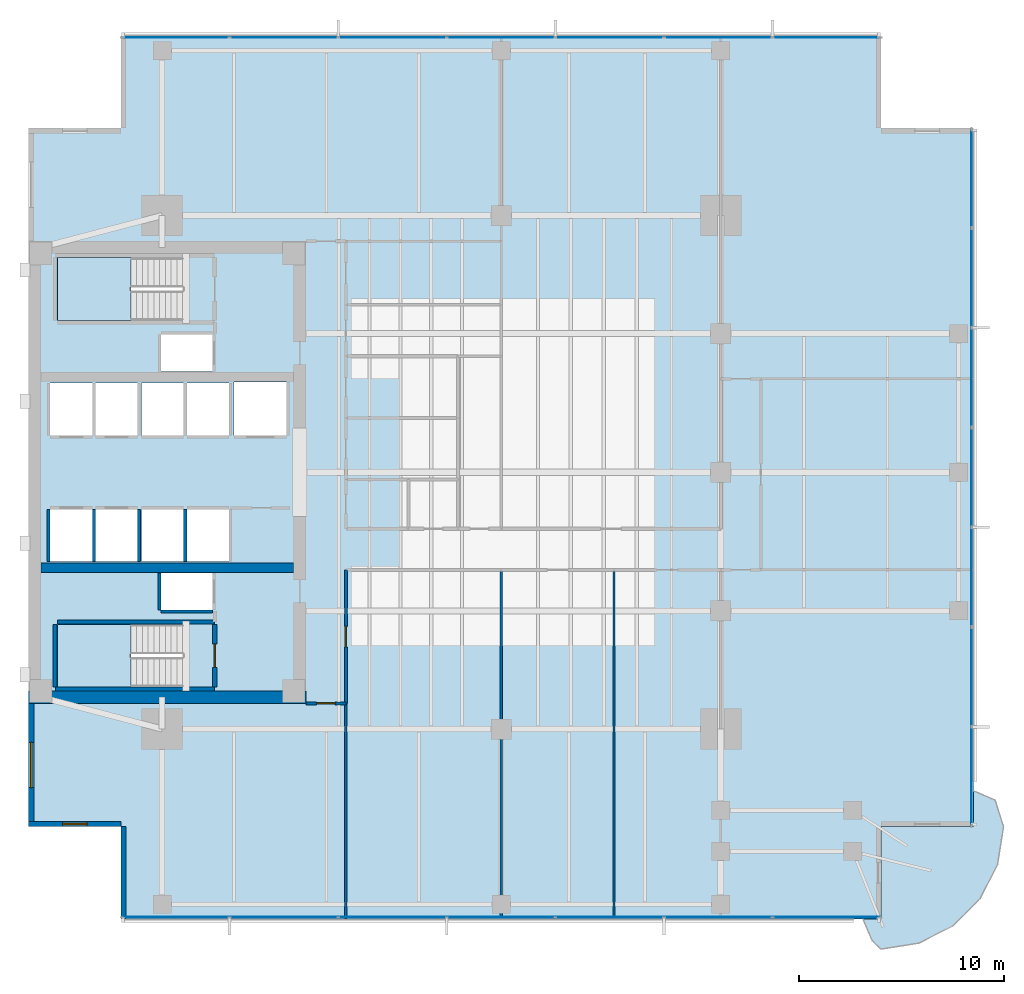
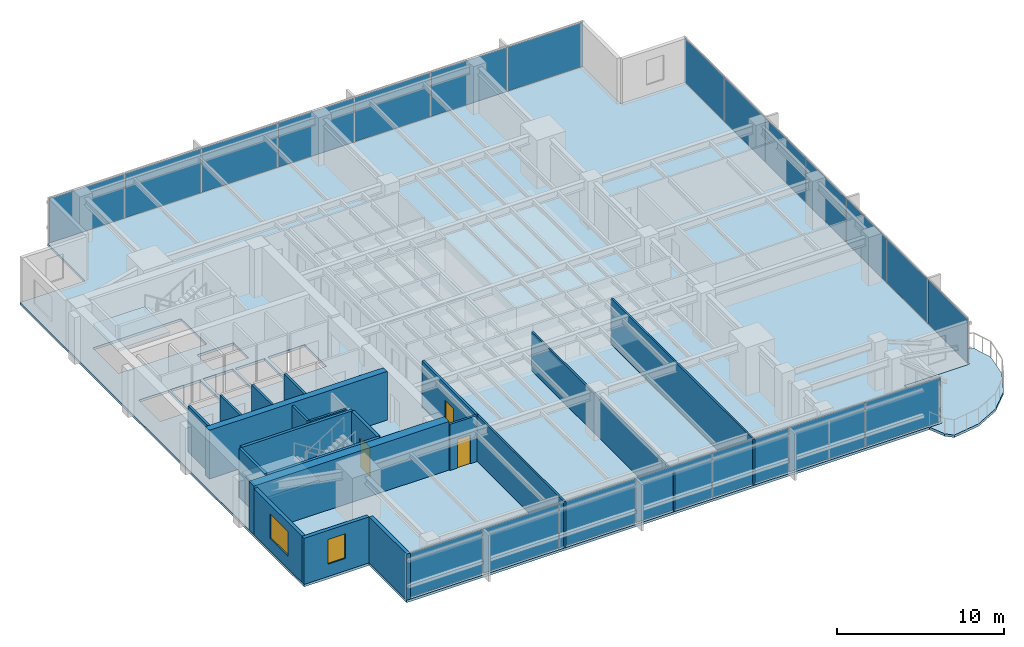
# One storey, part 7 of 15: 21 plates, 20 walls, 4 slabs, 3 doors, 2 windows, 5 openings, 5 elements without a shape of their own.
"""IFC4 building model written with IfcOpenShell, lengths in metres."""

from ifc_helpers import new_model, si_unit, direction, frame, frame_2d, origin, origin_2d, place, context, subcontext, project, spatial, polyline, rectangle, outline, extrude, material, layer, layer_set, type_object, element, fill, aggregate, save


model = new_model("IFC4")

# Units and contexts
model_context = context("Model", 3, precision=1e-05, world=origin(), true_north=direction((0.0, 1.0)))
body_context = subcontext(model_context, "Body", "Model", "MODEL_VIEW")
ifc_project = project(units=[si_unit("LENGTHUNIT", "METRE"), si_unit("AREAUNIT", "SQUARE_METRE"), si_unit("VOLUMEUNIT", "CUBIC_METRE"), si_unit("PLANEANGLEUNIT", "RADIAN"), si_unit("MASSUNIT", "GRAM", prefix="KILO")], contexts=[model_context])

# Site, building, storey
site_placement = place(None, origin())
site = spatial("IfcSite", under=ifc_project, at=site_placement, CompositionType="ELEMENT")
building_placement = place(site_placement, origin())
building = spatial("IfcBuilding", under=site, at=building_placement, Name="Kinhvarn Gate Tower", CompositionType="ELEMENT")
storey_placement = place(building_placement, frame((0.0, 0.0, 105.800048828125)))
storey = spatial("IfcBuildingStorey", under=building, at=storey_placement, Name="L27", CompositionType="ELEMENT", Elevation=105.800048828125)

# Curtain wall, plates
ifc_material_1 = material(Name="Anodised aluminium AW-6063", Category="aluminium")
ifc_layer_1 = layer(ifc_material_1, 0.179931640625)
ifc_layer_set_1 = layer_set([ifc_layer_1], Name="Anodised aluminium AW-6063")
curtain_wall_type = type_object("IfcCurtainWallType", Name="CW-SYS-3", PredefinedType="NOTDEFINED", material=ifc_layer_set_1)
curtain_wall_1_placement = place(storey_placement, origin())
curtain_wall_1 = element("IfcCurtainWall", 1, at=curtain_wall_1_placement, inside=storey, type_object=curtain_wall_type, Name="Curtain Wall CW3 (L27)", PredefinedType="NOTDEFINED")
ifc_material_2 = material(Name="Clear low-e double glazing", Category="glass")
ifc_layer_2 = layer(ifc_material_2, 0.031982421875)
ifc_layer_set_2 = layer_set([ifc_layer_2], Name="Clear low-e double glazing")
plate_type = type_object("IfcPlateType", Name="CW-PNL-VIS", PredefinedType="CURTAIN_PANEL", material=ifc_layer_set_2)
plate_1_placement = place(storey_placement, frame((11.6591796875, 3.590087890625, 0.070068359375), z_axis=(0.0, 0.0, 1.0), x_axis=(1.0, 0.0, 0.0)))
plate_1 = element("IfcPlate", 2, at=plate_1_placement, type_object=plate_type, Name="CW3 panel 1.1", PredefinedType="CURTAIN_PANEL", context=body_context, shape_type="SweptSolid", body=[
    extrude(rectangle(XDim=5.188232421875, YDim=0.031982421875, at=origin_2d()), origin(), (0.0, 0.0, 1.0), 3.22998046875),
])
plate_2_placement = place(storey_placement, frame((16.928466796875, 3.590087890625, 0.070068359375), z_axis=(0.0, 0.0, 1.0), x_axis=(1.0, 0.0, 0.0)))
plate_2 = element("IfcPlate", 3, at=plate_2_placement, type_object=plate_type, Name="CW3 panel 2.1", PredefinedType="CURTAIN_PANEL", context=body_context, shape_type="SweptSolid", body=[
    extrude(rectangle(XDim=5.220703125, YDim=0.031982421875, at=origin_2d()), origin(), (0.0, 0.0, 1.0), 3.22998046875),
])
plate_3_placement = place(storey_placement, frame((22.21435546875, 3.590087890625, 0.070068359375), z_axis=(0.0, 0.0, 1.0), x_axis=(1.0, 0.0, 0.0)))
plate_3 = element("IfcPlate", 4, at=plate_3_placement, type_object=plate_type, Name="CW3 panel 3.1", PredefinedType="CURTAIN_PANEL", context=body_context, shape_type="SweptSolid", body=[
    extrude(rectangle(XDim=5.220703125, YDim=0.031982421875, at=origin_2d()), origin(), (0.0, 0.0, 1.0), 3.22998046875),
])
plate_4_placement = place(storey_placement, frame((27.5, 3.590087890625, 0.070068359375), z_axis=(0.0, 0.0, 1.0), x_axis=(1.0, 0.0, 0.0)))
plate_4 = element("IfcPlate", 5, at=plate_4_placement, type_object=plate_type, Name="CW3 panel 4.1", PredefinedType="CURTAIN_PANEL", context=body_context, shape_type="SweptSolid", body=[
    extrude(rectangle(XDim=5.220703125, YDim=0.031982421875, at=origin_2d()), origin(), (0.0, 0.0, 1.0), 3.22998046875),
])
plate_5_placement = place(storey_placement, frame((32.78564453125, 3.590087890625, 0.070068359375), z_axis=(0.0, 0.0, 1.0), x_axis=(1.0, 0.0, 0.0)))
plate_5 = element("IfcPlate", 6, at=plate_5_placement, type_object=plate_type, Name="CW3 panel 5.1", PredefinedType="CURTAIN_PANEL", context=body_context, shape_type="SweptSolid", body=[
    extrude(rectangle(XDim=5.220703125, YDim=0.031982421875, at=origin_2d()), origin(), (0.0, 0.0, 1.0), 3.22998046875),
])
plate_6_placement = place(storey_placement, frame((38.071533203125, 3.590087890625, 0.070068359375), z_axis=(0.0, 0.0, 1.0), x_axis=(1.0, 0.0, 0.0)))
plate_6 = element("IfcPlate", 7, at=plate_6_placement, type_object=plate_type, Name="CW3 panel 6.1", PredefinedType="CURTAIN_PANEL", context=body_context, shape_type="SweptSolid", body=[
    extrude(rectangle(XDim=5.220703125, YDim=0.031982421875, at=origin_2d()), origin(), (0.0, 0.0, 1.0), 3.22998046875),
])
plate_7_placement = place(storey_placement, frame((43.3408203125, 3.590087890625, 0.070068359375), z_axis=(0.0, 0.0, 1.0), x_axis=(1.0, 0.0, 0.0)))
plate_7 = element("IfcPlate", 8, at=plate_7_placement, type_object=plate_type, Name="CW3 panel 7.1", PredefinedType="CURTAIN_PANEL", context=body_context, shape_type="SweptSolid", body=[
    extrude(rectangle(XDim=5.188232421875, YDim=0.031982421875, at=origin_2d()), origin(), (0.0, 0.0, 1.0), 3.22998046875),
])
aggregate(curtain_wall_1, [plate_1, plate_2, plate_3, plate_4, plate_5, plate_6, plate_7])

curtain_wall_2_placement = place(storey_placement, origin())
curtain_wall_2 = element("IfcCurtainWall", 9, at=curtain_wall_2_placement, inside=storey, type_object=curtain_wall_type, Name="Curtain Wall CW3 (L27)", PredefinedType="NOTDEFINED")
plate_8_placement = place(storey_placement, frame((43.3408203125, 46.409912109375, 0.070068359375), z_axis=(0.0, 0.0, 1.0), x_axis=(-1.0, 0.0, 0.0)))
plate_8 = element("IfcPlate", 10, at=plate_8_placement, type_object=plate_type, Name="CW3 panel 1.1", PredefinedType="CURTAIN_PANEL", context=body_context, shape_type="SweptSolid", body=[
    extrude(rectangle(XDim=5.188232421875, YDim=0.031982421875, at=origin_2d()), origin(), (0.0, 0.0, 1.0), 3.22998046875),
])
plate_9_placement = place(storey_placement, frame((38.071533203125, 46.409912109375, 0.070068359375), z_axis=(0.0, 0.0, 1.0), x_axis=(-1.0, 0.0, 0.0)))
plate_9 = element("IfcPlate", 11, at=plate_9_placement, type_object=plate_type, Name="CW3 panel 2.1", PredefinedType="CURTAIN_PANEL", context=body_context, shape_type="SweptSolid", body=[
    extrude(rectangle(XDim=5.220703125, YDim=0.031982421875, at=origin_2d()), origin(), (0.0, 0.0, 1.0), 3.22998046875),
])
plate_10_placement = place(storey_placement, frame((32.78564453125, 46.409912109375, 0.070068359375), z_axis=(0.0, 0.0, 1.0), x_axis=(-1.0, 0.0, 0.0)))
plate_10 = element("IfcPlate", 12, at=plate_10_placement, type_object=plate_type, Name="CW3 panel 3.1", PredefinedType="CURTAIN_PANEL", context=body_context, shape_type="SweptSolid", body=[
    extrude(rectangle(XDim=5.220703125, YDim=0.031982421875, at=origin_2d()), origin(), (0.0, 0.0, 1.0), 3.22998046875),
])
plate_11_placement = place(storey_placement, frame((27.5, 46.409912109375, 0.070068359375), z_axis=(0.0, 0.0, 1.0), x_axis=(-1.0, 0.0, 0.0)))
plate_11 = element("IfcPlate", 13, at=plate_11_placement, type_object=plate_type, Name="CW3 panel 4.1", PredefinedType="CURTAIN_PANEL", context=body_context, shape_type="SweptSolid", body=[
    extrude(rectangle(XDim=5.220703125, YDim=0.031982421875, at=origin_2d()), origin(), (0.0, 0.0, 1.0), 3.22998046875),
])
plate_12_placement = place(storey_placement, frame((22.21435546875, 46.409912109375, 0.070068359375), z_axis=(0.0, 0.0, 1.0), x_axis=(-1.0, 0.0, 0.0)))
plate_12 = element("IfcPlate", 14, at=plate_12_placement, type_object=plate_type, Name="CW3 panel 5.1", PredefinedType="CURTAIN_PANEL", context=body_context, shape_type="SweptSolid", body=[
    extrude(rectangle(XDim=5.220703125, YDim=0.031982421875, at=origin_2d()), origin(), (0.0, 0.0, 1.0), 3.22998046875),
])
plate_13_placement = place(storey_placement, frame((16.928466796875, 46.409912109375, 0.070068359375), z_axis=(0.0, 0.0, 1.0), x_axis=(-1.0, 0.0, 0.0)))
plate_13 = element("IfcPlate", 15, at=plate_13_placement, type_object=plate_type, Name="CW3 panel 6.1", PredefinedType="CURTAIN_PANEL", context=body_context, shape_type="SweptSolid", body=[
    extrude(rectangle(XDim=5.220703125, YDim=0.031982421875, at=origin_2d()), origin(), (0.0, 0.0, 1.0), 3.22998046875),
])
plate_14_placement = place(storey_placement, frame((11.6591796875, 46.409912109375, 0.070068359375), z_axis=(0.0, 0.0, 1.0), x_axis=(-1.0, 0.0, 0.0)))
plate_14 = element("IfcPlate", 16, at=plate_14_placement, type_object=plate_type, Name="CW3 panel 7.1", PredefinedType="CURTAIN_PANEL", context=body_context, shape_type="SweptSolid", body=[
    extrude(rectangle(XDim=5.188232421875, YDim=0.031982421875, at=origin_2d()), origin(), (0.0, 0.0, 1.0), 3.22998046875),
])
aggregate(curtain_wall_2, [plate_8, plate_9, plate_10, plate_11, plate_12, plate_13, plate_14])

curtain_wall_3_placement = place(storey_placement, origin())
curtain_wall_3 = element("IfcCurtainWall", 17, at=curtain_wall_3_placement, inside=storey, type_object=curtain_wall_type, Name="Curtain Wall CW3 (L27)", PredefinedType="NOTDEFINED")
plate_15_placement = place(storey_placement, frame((50.409912109375, 10.44482421875, 0.070068359375), z_axis=(0.0, 0.0, 1.0), x_axis=(0.0, 1.0, 0.0)))
plate_15 = element("IfcPlate", 18, at=plate_15_placement, type_object=plate_type, Name="CW3 panel 1.1", PredefinedType="CURTAIN_PANEL", context=body_context, shape_type="SweptSolid", body=[
    extrude(rectangle(XDim=4.759521484375, YDim=0.031982421875, at=origin_2d()), origin(), (0.0, 0.0, 1.0), 3.22998046875),
])
plate_16_placement = place(storey_placement, frame((50.409912109375, 15.28564453125, 0.070068359375), z_axis=(0.0, 0.0, 1.0), x_axis=(0.0, 1.0, 0.0)))
plate_16 = element("IfcPlate", 19, at=plate_16_placement, type_object=plate_type, Name="CW3 panel 2.1", PredefinedType="CURTAIN_PANEL", context=body_context, shape_type="SweptSolid", body=[
    extrude(rectangle(XDim=4.792236328125, YDim=0.031982421875, at=origin_2d()), origin(), (0.0, 0.0, 1.0), 3.22998046875),
])
plate_17_placement = place(storey_placement, frame((50.409912109375, 20.142822265625, 0.070068359375), z_axis=(0.0, 0.0, 1.0), x_axis=(0.0, 1.0, 0.0)))
plate_17 = element("IfcPlate", 20, at=plate_17_placement, type_object=plate_type, Name="CW3 panel 3.1", PredefinedType="CURTAIN_PANEL", context=body_context, shape_type="SweptSolid", body=[
    extrude(rectangle(XDim=4.792236328125, YDim=0.031982421875, at=origin_2d()), origin(), (0.0, 0.0, 1.0), 3.22998046875),
])
plate_18_placement = place(storey_placement, frame((50.409912109375, 25.0, 0.070068359375), z_axis=(0.0, 0.0, 1.0), x_axis=(0.0, 1.0, 0.0)))
plate_18 = element("IfcPlate", 21, at=plate_18_placement, type_object=plate_type, Name="CW3 panel 4.1", PredefinedType="CURTAIN_PANEL", context=body_context, shape_type="SweptSolid", body=[
    extrude(rectangle(XDim=4.792236328125, YDim=0.031982421875, at=origin_2d()), origin(), (0.0, 0.0, 1.0), 3.22998046875),
])
plate_19_placement = place(storey_placement, frame((50.409912109375, 29.857177734375, 0.070068359375), z_axis=(0.0, 0.0, 1.0), x_axis=(0.0, 1.0, 0.0)))
plate_19 = element("IfcPlate", 22, at=plate_19_placement, type_object=plate_type, Name="CW3 panel 5.1", PredefinedType="CURTAIN_PANEL", context=body_context, shape_type="SweptSolid", body=[
    extrude(rectangle(XDim=4.792236328125, YDim=0.031982421875, at=origin_2d()), origin(), (0.0, 0.0, 1.0), 3.22998046875),
])
plate_20_placement = place(storey_placement, frame((50.409912109375, 34.71435546875, 0.070068359375), z_axis=(0.0, 0.0, 1.0), x_axis=(0.0, 1.0, 0.0)))
plate_20 = element("IfcPlate", 23, at=plate_20_placement, type_object=plate_type, Name="CW3 panel 6.1", PredefinedType="CURTAIN_PANEL", context=body_context, shape_type="SweptSolid", body=[
    extrude(rectangle(XDim=4.792236328125, YDim=0.031982421875, at=origin_2d()), origin(), (0.0, 0.0, 1.0), 3.22998046875),
])
plate_21_placement = place(storey_placement, frame((50.409912109375, 39.55517578125, 0.070068359375), z_axis=(0.0, 0.0, 1.0), x_axis=(0.0, 1.0, 0.0)))
plate_21 = element("IfcPlate", 24, at=plate_21_placement, type_object=plate_type, Name="CW3 panel 7.1", PredefinedType="CURTAIN_PANEL", context=body_context, shape_type="SweptSolid", body=[
    extrude(rectangle(XDim=4.759521484375, YDim=0.031982421875, at=origin_2d()), origin(), (0.0, 0.0, 1.0), 3.22998046875),
])
aggregate(curtain_wall_3, [plate_15, plate_16, plate_17, plate_18, plate_19, plate_20, plate_21])

# Slabs
ifc_material_3 = material(Name="Precast white architectural concrete C40/50", Category="concrete")
ifc_layer_3 = layer(ifc_material_3, 0.179931640625)
ifc_layer_set_3 = layer_set([ifc_layer_3], Name="Precast white architectural concrete C40/50")
slab_type_1 = type_object("IfcSlabType", Name="SLB-BAL-180", PredefinedType="FLOOR", material=ifc_layer_set_3)
slab_1_placement = place(storey_placement, frame((0.0, 0.0, -0.179931640625)))
element("IfcSlab", 25, at=slab_1_placement, inside=storey, type_object=slab_type_1, Name="S-Carve Curved Terrace Balcony Slab L27 (SE)", PredefinedType="FLOOR", context=body_context, shape_type="SweptSolid", body=[
    extrude(outline(polyline([(45.1201171875, 3.5), (45.570068359375, 2.446533203125), (46.0, 2.037109375), (47.8427734375, 2.328857421875), (49.5048828125, 3.17578125), (50.82421875, 4.4951171875), (51.671142578125, 6.1572265625), (51.962890625, 8.0), (51.553466796875, 9.291015625), (50.5, 9.740966796875), (50.5, 8.0), (46.0, 8.0), (46.0, 3.5), (45.1201171875, 3.5)])), origin(), (0.0, 0.0, 1.0), 0.179931640625),
])
ifc_material_4 = material(Name="Concrete C40/50", Category="concrete")
ifc_layer_4 = layer(ifc_material_4, 0.179931640625)
ifc_layer_set_4 = layer_set([ifc_layer_4], Name="Concrete C40/50")
slab_type_2 = type_object("IfcSlabType", Name="SLB-FLR-180", PredefinedType="FLOOR", material=ifc_layer_set_4)
slab_2_placement = place(storey_placement, frame((0.0, 0.0, -0.179931640625)))
element("IfcSlab", 26, at=slab_2_placement, inside=storey, type_object=slab_type_2, Name="Suspended Floor Slab L27", PredefinedType="FLOOR", context=body_context, shape_type="SweptSolid", body=[
    extrude(outline(polyline([(9.0, 3.5), (46.0, 3.5), (46.0, 8.0), (50.5, 8.0), (50.5, 42.0), (46.0, 42.0), (46.0, 46.5), (9.0, 46.5), (9.0, 42.0), (4.5, 42.0), (4.5, 8.0), (9.0, 8.0), (9.0, 3.5)]), holes=[polyline([(5.89990234375, 14.800048828125), (12.0, 14.800048828125), (12.0, 17.85009765625), (5.89990234375, 17.85009765625), (5.89990234375, 14.800048828125)]), polyline([(5.89990234375, 32.64990234375), (12.0, 32.64990234375), (12.0, 35.699951171875), (5.89990234375, 35.699951171875), (5.89990234375, 32.64990234375)]), polyline([(5.550048828125, 20.89990234375), (7.60009765625, 20.89990234375), (7.60009765625, 23.449951171875), (5.550048828125, 23.449951171875), (5.550048828125, 20.89990234375)]), polyline([(7.75, 20.89990234375), (9.800048828125, 20.89990234375), (9.800048828125, 23.449951171875), (7.75, 23.449951171875), (7.75, 20.89990234375)]), polyline([(5.550048828125, 27.050048828125), (7.60009765625, 27.050048828125), (7.60009765625, 29.60009765625), (5.550048828125, 29.60009765625), (5.550048828125, 27.050048828125)]), polyline([(7.75, 27.050048828125), (9.800048828125, 27.050048828125), (9.800048828125, 29.60009765625), (7.75, 29.60009765625), (7.75, 27.050048828125)]), polyline([(10.0, 20.89990234375), (12.050048828125, 20.89990234375), (12.050048828125, 23.449951171875), (10.0, 23.449951171875), (10.0, 20.89990234375)]), polyline([(12.199951171875, 20.89990234375), (14.25, 20.89990234375), (14.25, 23.449951171875), (12.199951171875, 23.449951171875), (12.199951171875, 20.89990234375)]), polyline([(10.0, 27.050048828125), (12.050048828125, 27.050048828125), (12.050048828125, 29.60009765625), (10.0, 29.60009765625), (10.0, 27.050048828125)]), polyline([(12.199951171875, 27.050048828125), (14.25, 27.050048828125), (14.25, 29.60009765625), (12.199951171875, 29.60009765625), (12.199951171875, 27.050048828125)]), polyline([(14.5, 27.050048828125), (17.050048828125, 27.050048828125), (17.050048828125, 29.64990234375), (14.5, 29.64990234375), (14.5, 27.050048828125)]), polyline([(10.949951171875, 18.550048828125), (13.449951171875, 18.550048828125), (13.449951171875, 20.35009765625), (10.949951171875, 20.35009765625), (10.949951171875, 18.550048828125)]), polyline([(10.949951171875, 30.14990234375), (13.449951171875, 30.14990234375), (13.449951171875, 31.949951171875), (10.949951171875, 31.949951171875), (10.949951171875, 30.14990234375)])]), origin(), (0.0, 0.0, 1.0), 0.179931640625),
])

# Stair, slab
stair_type = type_object("IfcStairType", Name="STR-DLG-177", PredefinedType="HALF_TURN_STAIR", material=ifc_material_4)
stair_1_placement = place(storey_placement, origin())
stair_1 = element("IfcStair", 27, at=stair_1_placement, inside=storey, type_object=stair_type, Name="L27 Core Smokeproof Exit Stair ST1", PredefinedType="HALF_TURN_STAIR")
ifc_layer_5 = layer(ifc_material_4, 0.199951171875)
ifc_layer_set_5 = layer_set([ifc_layer_5], Name="Concrete C40/50")
slab_type_3 = type_object("IfcSlabType", Name="SLB-ST-LND", PredefinedType="LANDING", material=ifc_layer_set_5)
slab_3_placement = place(storey_placement, frame((0.0, 0.0, 1.574951171875)))
slab_3 = element("IfcSlab", 28, at=slab_3_placement, type_object=slab_type_3, Name="ST1 landing 1", PredefinedType="LANDING", context=body_context, shape_type="SweptSolid", body=[
    extrude(outline(polyline([(9.47998046875, 17.85009765625), (5.89990234375, 17.85009765625), (5.89990234375, 14.800048828125), (9.47998046875, 14.800048828125), (9.47998046875, 17.85009765625)])), origin(), (0.0, 0.0, 1.0), 0.199951171875),
])
aggregate(stair_1, [slab_3])

stair_2_placement = place(storey_placement, origin())
stair_2 = element("IfcStair", 29, at=stair_2_placement, inside=storey, type_object=stair_type, Name="L27 Core Smokeproof Exit Stair ST2", PredefinedType="HALF_TURN_STAIR")
slab_4_placement = place(storey_placement, frame((0.0, 0.0, 1.574951171875)))
slab_4 = element("IfcSlab", 30, at=slab_4_placement, type_object=slab_type_3, Name="ST2 landing 1", PredefinedType="LANDING", context=body_context, shape_type="SweptSolid", body=[
    extrude(outline(polyline([(9.47998046875, 35.699951171875), (5.89990234375, 35.699951171875), (5.89990234375, 32.64990234375), (9.47998046875, 32.64990234375), (9.47998046875, 35.699951171875)])), origin(), (0.0, 0.0, 1.0), 0.199951171875),
])
aggregate(stair_2, [slab_4])

# Walls
ifc_material_5 = material(Name="Concrete C50/60", Category="concrete")
ifc_layer_6 = layer(ifc_material_5, 0.449951171875)
ifc_layer_set_6 = layer_set([ifc_layer_6], Name="Concrete C50/60")
wall_type_1 = type_object("IfcWallType", Name="WL-CORE-450", PredefinedType="SHEAR", material=ifc_layer_set_6)
wall_1_placement = place(storey_placement, frame((5.10009765625, 20.60009765625, 0.0), z_axis=(0.0, 0.0, 1.0), x_axis=(1.0, 0.0, 0.0)))
element("IfcWall", 31, at=wall_1_placement, inside=storey, type_object=wall_type_1, Name="Core South Spine Shear Wall L27 450 mm", PredefinedType="SHEAR", context=body_context, shape_type="SweptSolid", body=[
    extrude(rectangle(XDim=12.2998046875, YDim=0.449951171875, at=frame_2d((6.14990234375, 0.0))), origin(), (0.0, 0.0, 1.0), 3.550048828125),
])
ifc_material_6 = material(Name="Concrete C60/75", Category="concrete")
ifc_layer_7 = layer(ifc_material_6, 0.60009765625)
ifc_layer_set_7 = layer_set([ifc_layer_7], Name="Concrete C60/75")
wall_type_2 = type_object("IfcWallType", Name="WL-CORE-600", PredefinedType="SHEAR", material=ifc_layer_set_7)
wall_2_placement = place(storey_placement, frame((4.5, 14.300048828125, 0.0), z_axis=(0.0, 0.0, 1.0), x_axis=(1.0, 0.0, 0.0)))
element("IfcWall", 32, at=wall_2_placement, inside=storey, type_object=wall_type_2, Name="Core South Shear Wall L27 600 mm", PredefinedType="SHEAR", context=body_context, shape_type="SweptSolid", body=[
    extrude(rectangle(XDim=13.5, YDim=0.60009765625, at=frame_2d((6.75, 0.0))), origin(), (0.0, 0.0, 1.0), 3.550048828125),
])

# Wall, opening, window
ifc_material_7 = material(Name="Fired architectural terracotta", Category="masonry")
ifc_layer_8 = layer(ifc_material_7, 0.25)
ifc_layer_set_8 = layer_set([ifc_layer_8], Name="Fired architectural terracotta")
wall_type_3 = type_object("IfcWallType", Name="WL-EXT-250", PredefinedType="SOLIDWALL", material=ifc_layer_set_8)
wall_3_placement = place(storey_placement, frame((4.625, 14.0, 0.0), z_axis=(0.0, 0.0, 1.0), x_axis=(0.0, -1.0, 0.0)))
wall_3 = element("IfcWall", 33, at=wall_3_placement, inside=storey, type_object=wall_type_3, Name="Exterior Solidwall Wall EW-250 (L27 West-South)", PredefinedType="SOLIDWALL", context=body_context, shape_type="SweptSolid", body=[
    extrude(rectangle(XDim=6.0, YDim=0.25, at=frame_2d((3.0, 0.0))), origin(), (0.0, 0.0, 1.0), 3.369873046875),
])
opening_1_placement = place(wall_3_placement, frame((1.89990234375, 0.0, 0.89990234375)))
opening_1 = element("IfcOpeningElement", 34, at=opening_1_placement, cuts=wall_3, Name="Opening WN-01", PredefinedType="OPENING", context=body_context, shape_type="SweptSolid", body=[
    extrude(rectangle(XDim=2.199951171875, YDim=1.800048828125, at=frame_2d((1.10009765625, 0.89990234375))), frame((0.0, 0.135009765625, 0.0), z_axis=(0.0, -1.0, 0.0), x_axis=(1.0, 0.0, 0.0)), (0.0, 0.0, 1.0), 0.27001953125),
])
window_type_1 = type_object("IfcWindowType", Name="WIN-RIB-2200", PartitioningType="SINGLE_PANEL", PredefinedType="WINDOW", material=ifc_material_2)
window_1_placement = place(opening_1_placement, origin())
window_1 = element("IfcWindow", 35, at=window_1_placement, inside=storey, type_object=window_type_1, Name="West Flank Double-Glazed Ribbon Window 2200x1800 mm (L27)", OverallHeight=1.800048828125, OverallWidth=2.199951171875, PartitioningType="SINGLE_PANEL", PredefinedType="WINDOW", context=body_context, shape_type="SweptSolid", body=[
    extrude(rectangle(XDim=2.199951171875, YDim=1.800048828125, at=frame_2d((1.10009765625, 0.89990234375))), frame((0.0, 0.030029296875, 0.0), z_axis=(0.0, -1.0, 0.0), x_axis=(1.0, 0.0, 0.0)), (0.0, 0.0, 1.0), 0.06005859375),
])
fill(opening_1, window_1)

wall_4_placement = place(storey_placement, frame((4.5, 8.125, 0.0), z_axis=(0.0, 0.0, 1.0), x_axis=(1.0, 0.0, 0.0)))
wall_4 = element("IfcWall", 36, at=wall_4_placement, inside=storey, type_object=wall_type_3, Name="Exterior Solidwall Wall EW-250 (L27 SW-Notch-1)", PredefinedType="SOLIDWALL", context=body_context, shape_type="SweptSolid", body=[
    extrude(rectangle(XDim=4.5, YDim=0.25, at=frame_2d((2.25, 0.0))), origin(), (0.0, 0.0, 1.0), 3.369873046875),
])
opening_2_placement = place(wall_4_placement, frame((1.64990234375, 0.0, 0.89990234375)))
opening_2 = element("IfcOpeningElement", 37, at=opening_2_placement, cuts=wall_4, Name="Opening WN-02", PredefinedType="OPENING", context=body_context, shape_type="SweptSolid", body=[
    extrude(rectangle(XDim=1.199951171875, YDim=1.800048828125, at=frame_2d((0.60009765625, 0.89990234375))), frame((0.0, 0.135009765625, 0.0), z_axis=(0.0, -1.0, 0.0), x_axis=(1.0, 0.0, 0.0)), (0.0, 0.0, 1.0), 0.27001953125),
])
window_type_2 = type_object("IfcWindowType", Name="WIN-NTC-1200", PartitioningType="SINGLE_PANEL", PredefinedType="WINDOW", material=ifc_material_2)
window_2_placement = place(opening_2_placement, origin())
window_2 = element("IfcWindow", 38, at=window_2_placement, inside=storey, type_object=window_type_2, Name="Recessed Corner Notch Punched Window 1200x1800 mm (L27)", OverallHeight=1.800048828125, OverallWidth=1.199951171875, PartitioningType="SINGLE_PANEL", PredefinedType="WINDOW", context=body_context, shape_type="SweptSolid", body=[
    extrude(rectangle(XDim=1.199951171875, YDim=1.800048828125, at=frame_2d((0.60009765625, 0.89990234375))), frame((0.0, 0.030029296875, 0.0), z_axis=(0.0, -1.0, 0.0), x_axis=(1.0, 0.0, 0.0)), (0.0, 0.0, 1.0), 0.06005859375),
])
fill(opening_2, window_2)

# Walls
wall_5_placement = place(storey_placement, frame((9.125, 8.0, 0.0), z_axis=(0.0, 0.0, 1.0), x_axis=(0.0, -1.0, 0.0)))
element("IfcWall", 39, at=wall_5_placement, inside=storey, type_object=wall_type_3, Name="Exterior Solidwall Wall EW-250 (L27 SW-Notch-2)", PredefinedType="SOLIDWALL", context=body_context, shape_type="SweptSolid", body=[
    extrude(rectangle(XDim=4.5, YDim=0.25, at=frame_2d((2.25, 0.0))), origin(), (0.0, 0.0, 1.0), 3.369873046875),
])
ifc_material_8 = material(Name="Gypsum acoustic partition board")
ifc_layer_9 = layer(ifc_material_8, 0.1201171875)
ifc_layer_set_9 = layer_set([ifc_layer_9], Name="Gypsum acoustic partition board")
wall_type_4 = type_object("IfcWallType", Name="WL-PRT-120", PredefinedType="PARTITIONING", material=ifc_layer_set_9)
wall_6_placement = place(storey_placement, frame((19.949951171875, 3.510009765625, 0.0), z_axis=(0.0, 0.0, 1.0), x_axis=(0.0, 1.0, 0.0)))
element("IfcWall", 40, at=wall_6_placement, inside=storey, type_object=wall_type_4, Name="Interior Partition PW-120 (L27)", PredefinedType="PARTITIONING", context=body_context, shape_type="SweptSolid", body=[
    extrude(rectangle(XDim=10.489990234375, YDim=0.1201171875, at=frame_2d((5.2451171875, 0.0))), origin(), (0.0, 0.0, 1.0), 3.369873046875),
])
wall_7_placement = place(storey_placement, frame((27.5, 3.510009765625, 0.0), z_axis=(0.0, 0.0, 1.0), x_axis=(0.0, 1.0, 0.0)))
element("IfcWall", 41, at=wall_7_placement, inside=storey, type_object=wall_type_4, Name="Interior Partition PW-120 (L27)", PredefinedType="PARTITIONING", context=body_context, shape_type="SweptSolid", body=[
    extrude(rectangle(XDim=16.989990234375, YDim=0.1201171875, at=frame_2d((8.4951171875, 0.0))), origin(), (0.0, 0.0, 1.0), 2.869873046875),
])
wall_8_placement = place(storey_placement, frame((33.0, 3.510009765625, 0.0), z_axis=(0.0, 0.0, 1.0), x_axis=(0.0, 1.0, 0.0)))
element("IfcWall", 42, at=wall_8_placement, inside=storey, type_object=wall_type_4, Name="Interior Partition PW-120 (L27)", PredefinedType="PARTITIONING", context=body_context, shape_type="SweptSolid", body=[
    extrude(rectangle(XDim=16.989990234375, YDim=0.1201171875, at=frame_2d((8.4951171875, 0.0))), origin(), (0.0, 0.0, 1.0), 3.369873046875),
])

# Wall, opening, door
ifc_layer_10 = layer(ifc_material_8, 0.14990234375)
ifc_layer_set_10 = layer_set([ifc_layer_10], Name="Gypsum acoustic partition board")
wall_type_5 = type_object("IfcWallType", Name="WL-PRT-150F", PredefinedType="PARTITIONING", material=ifc_layer_set_10)
wall_9_placement = place(storey_placement, frame((18.0, 14.0, 0.0), z_axis=(0.0, 0.0, 1.0), x_axis=(1.0, 0.0, 0.0)))
wall_9 = element("IfcWall", 43, at=wall_9_placement, inside=storey, type_object=wall_type_5, Name="Interior Partition PW-150F (L27)", PredefinedType="PARTITIONING", context=body_context, shape_type="SweptSolid", body=[
    extrude(rectangle(XDim=1.949951171875, YDim=0.14990234375, at=frame_2d((0.97509765625, 0.0))), origin(), (0.0, 0.0, 1.0), 3.369873046875),
])
opening_3_placement = place(wall_9_placement, frame((0.52490234375, 0.0, 0.0)))
opening_3 = element("IfcOpeningElement", 44, at=opening_3_placement, cuts=wall_9, Name="Opening ID-03", PredefinedType="OPENING", context=body_context, shape_type="SweptSolid", body=[
    extrude(rectangle(XDim=0.89990234375, YDim=2.10009765625, at=frame_2d((0.449951171875, 1.050048828125))), frame((0.0, 0.0849609375, 0.0), z_axis=(0.0, -1.0, 0.0), x_axis=(1.0, 0.0, 0.0)), (0.0, 0.0, 1.0), 0.169921875),
])
door_type_1 = type_object("IfcDoorType", Name="DR-INT-900", OperationType="NOTDEFINED", PredefinedType="DOOR", material=ifc_material_1)
door_1_placement = place(opening_3_placement, origin())
door_1 = element("IfcDoor", 45, at=door_1_placement, inside=storey, type_object=door_type_1, Name="Cellular Office & Restroom Door 900x2100 mm (L27)", OperationType="SINGLE_SWING_RIGHT", OverallHeight=2.10009765625, OverallWidth=0.89990234375, PredefinedType="DOOR", context=body_context, shape_type="SweptSolid", body=[
    extrude(rectangle(XDim=0.89990234375, YDim=2.10009765625, at=frame_2d((0.449951171875, 1.050048828125))), frame((0.0, 0.02490234375, 0.0), z_axis=(0.0, -1.0, 0.0), x_axis=(1.0, 0.0, 0.0)), (0.0, 0.0, 1.0), 0.050048828125),
])
fill(opening_3, door_1)

wall_10_placement = place(storey_placement, frame((19.949951171875, 14.0, 0.0), z_axis=(0.0, 0.0, 1.0), x_axis=(0.0, 1.0, 0.0)))
wall_10 = element("IfcWall", 46, at=wall_10_placement, inside=storey, type_object=wall_type_5, Name="Interior Partition PW-150F (L27)", PredefinedType="PARTITIONING", context=body_context, shape_type="SweptSolid", body=[
    extrude(rectangle(XDim=6.5, YDim=0.14990234375, at=frame_2d((3.25, 0.0))), origin(), (0.0, 0.0, 1.0), 3.369873046875),
])
opening_4_placement = place(wall_10_placement, frame((2.75, 0.0, 0.0)))
opening_4 = element("IfcOpeningElement", 47, at=opening_4_placement, cuts=wall_10, Name="Opening ID-02", PredefinedType="OPENING", context=body_context, shape_type="SweptSolid", body=[
    extrude(rectangle(XDim=1.0, YDim=2.14990234375, at=frame_2d((0.5, 1.074951171875))), frame((0.0, 0.0849609375, 0.0), z_axis=(0.0, -1.0, 0.0), x_axis=(1.0, 0.0, 0.0)), (0.0, 0.0, 1.0), 0.169921875),
])
door_type_2 = type_object("IfcDoorType", Name="DR-INT-1000", OperationType="NOTDEFINED", PredefinedType="DOOR", material=ifc_material_1)
door_2_placement = place(opening_4_placement, origin())
door_2 = element("IfcDoor", 48, at=door_2_placement, inside=storey, type_object=door_type_2, Name="Standard Office & Meeting Room Door 1000x2150 mm (L27)", OperationType="SINGLE_SWING_LEFT", OverallHeight=2.14990234375, OverallWidth=1.0, PredefinedType="DOOR", context=body_context, shape_type="SweptSolid", body=[
    extrude(rectangle(XDim=1.0, YDim=2.14990234375, at=frame_2d((0.5, 1.074951171875))), frame((0.0, 0.02490234375, 0.0), z_axis=(0.0, -1.0, 0.0), x_axis=(1.0, 0.0, 0.0)), (0.0, 0.0, 1.0), 0.050048828125),
])
fill(opening_4, door_2)

# Walls
ifc_layer_11 = layer(ifc_material_8, 0.14990234375)
ifc_layer_set_11 = layer_set([ifc_layer_11], Name="Gypsum acoustic partition board")
wall_type_6 = type_object("IfcWallType", Name="WL-SHF-150", PredefinedType="PARTITIONING", material=ifc_layer_set_11)
for number, where, z_axis, x_axis, name in (
    (49, (5.47509765625, 20.89990234375, 0.0), (0.0, 0.0, 1.0), (0.0, 1.0, 0.0), "Elevator PM-05 Hoistway Wall W (L27)"),
    (50, (7.675048828125, 20.89990234375, 0.0), (0.0, 0.0, 1.0), (0.0, 1.0, 0.0), "Elevator PM-05 Hoistway Wall E (L27)"),
    (51, (9.875, 20.89990234375, 0.0), (0.0, 0.0, 1.0), (0.0, 1.0, 0.0), "Elevator PM-06 Hoistway Wall E (L27)"),
    (52, (12.125, 20.89990234375, 0.0), (0.0, 0.0, 1.0), (0.0, 1.0, 0.0), "Elevator PH-09 Hoistway Wall E (L27)"),
):
    element("IfcWall", number, at=place(storey_placement, frame(where, z_axis=z_axis, x_axis=x_axis)), inside=storey, type_object=wall_type_6, Name=name, PredefinedType="PARTITIONING", context=body_context, shape_type="SweptSolid", body=[
        extrude(rectangle(XDim=2.550048828125, YDim=0.14990234375, at=frame_2d((1.27490234375, 0.0))), origin(), (0.0, 0.0, 1.0), 3.369873046875),
    ])
wall_11_placement = place(storey_placement, frame((10.949951171875, 18.47509765625, 0.0), z_axis=(0.0, 0.0, 1.0), x_axis=(1.0, 0.0, 0.0)))
element("IfcWall", 53, at=wall_11_placement, inside=storey, type_object=wall_type_6, Name="Elevator FF1 Hoistway Wall S (L27)", PredefinedType="PARTITIONING", context=body_context, shape_type="SweptSolid", body=[
    extrude(rectangle(XDim=2.5, YDim=0.14990234375, at=frame_2d((1.25, 0.0))), origin(), (0.0, 0.0, 1.0), 3.369873046875),
])
wall_12_placement = place(storey_placement, frame((10.875, 18.550048828125, 0.0), z_axis=(0.0, 0.0, 1.0), x_axis=(0.0, 1.0, 0.0)))
element("IfcWall", 54, at=wall_12_placement, inside=storey, type_object=wall_type_6, Name="Elevator FF1 Hoistway Wall W (L27)", PredefinedType="PARTITIONING", context=body_context, shape_type="SweptSolid", body=[
    extrude(rectangle(XDim=1.800048828125, YDim=0.14990234375, at=frame_2d((0.89990234375, 0.0))), origin(), (0.0, 0.0, 1.0), 3.369873046875),
])
ifc_layer_12 = layer(ifc_material_4, 0.199951171875)
ifc_layer_set_12 = layer_set([ifc_layer_12], Name="Concrete C40/50")
wall_type_7 = type_object("IfcWallType", Name="WL-SHF-200", PredefinedType="SOLIDWALL", material=ifc_layer_set_12)
wall_13_placement = place(storey_placement, frame((5.800048828125, 14.699951171875, 0.0), z_axis=(0.0, 0.0, 1.0), x_axis=(1.0, 0.0, 0.0)))
element("IfcWall", 55, at=wall_13_placement, inside=storey, type_object=wall_type_7, Name="Stair ST1 South Shaft Wall (L27)", PredefinedType="SOLIDWALL", context=body_context, shape_type="SweptSolid", body=[
    extrude(rectangle(XDim=7.75, YDim=0.199951171875, at=frame_2d((3.875, 0.0))), origin(), (0.0, 0.0, 1.0), 3.550048828125),
])
wall_14_placement = place(storey_placement, frame((5.7900390625, 14.800048828125, 0.0), z_axis=(0.0, 0.0, 1.0), x_axis=(0.0, 1.0, 0.0)))
element("IfcWall", 56, at=wall_14_placement, inside=storey, type_object=wall_type_7, Name="Stair ST1 West Shaft Wall (L27)", PredefinedType="SOLIDWALL", context=body_context, shape_type="SweptSolid", body=[
    extrude(rectangle(XDim=3.050048828125, YDim=0.199951171875, at=frame_2d((1.52490234375, 0.0))), origin(), (0.0, 0.0, 1.0), 3.550048828125),
])
wall_15_placement = place(storey_placement, frame((5.89990234375, 17.9599609375, 0.0), z_axis=(0.0, 0.0, 1.0), x_axis=(1.0, 0.0, 0.0)))
element("IfcWall", 57, at=wall_15_placement, inside=storey, type_object=wall_type_7, Name="Stair ST1 North Shaft Wall (L27)", PredefinedType="SOLIDWALL", context=body_context, shape_type="SweptSolid", body=[
    extrude(rectangle(XDim=7.66015625, YDim=0.199951171875, at=frame_2d((3.830078125, 0.0))), origin(), (0.0, 0.0, 1.0), 3.550048828125),
])

# Wall, opening, door
wall_16_placement = place(storey_placement, frame((13.56005859375, 14.800048828125, 0.0), z_axis=(0.0, 0.0, 1.0), x_axis=(0.0, 1.0, 0.0)))
wall_16 = element("IfcWall", 58, at=wall_16_placement, inside=storey, type_object=wall_type_7, Name="Stair ST1 East Entry Wall (L27)", PredefinedType="SOLIDWALL", context=body_context, shape_type="SweptSolid", body=[
    extrude(rectangle(XDim=3.050048828125, YDim=0.199951171875, at=frame_2d((1.52490234375, 0.0))), origin(), (0.0, 0.0, 1.0), 3.550048828125),
])
opening_5_placement = place(wall_16_placement, frame((0.949951171875, 0.0, 0.0)))
opening_5 = element("IfcOpeningElement", 59, at=opening_5_placement, cuts=wall_16, Name="Opening FD-01", PredefinedType="OPENING", context=body_context, shape_type="SweptSolid", body=[
    extrude(rectangle(XDim=1.14990234375, YDim=2.14990234375, at=frame_2d((0.574951171875, 1.074951171875))), frame((0.0, 0.10986328125, 0.0), z_axis=(0.0, -1.0, 0.0), x_axis=(1.0, 0.0, 0.0)), (0.0, 0.0, 1.0), 0.219970703125),
])
door_type_3 = type_object("IfcDoorType", Name="DR-ST-1150", OperationType="NOTDEFINED", PredefinedType="DOOR", material=ifc_material_1)
door_3_placement = place(opening_5_placement, origin())
door_3 = element("IfcDoor", 60, at=door_3_placement, inside=storey, type_object=door_type_3, Name="Exit Stair ST1 Fire Door (L27)", OperationType="SINGLE_SWING_LEFT", OverallHeight=2.14990234375, OverallWidth=1.14990234375, PredefinedType="DOOR", context=body_context, shape_type="SweptSolid", body=[
    extrude(rectangle(XDim=1.14990234375, YDim=2.14990234375, at=frame_2d((0.574951171875, 1.074951171875))), frame((0.0, 0.02490234375, 0.0), z_axis=(0.0, -1.0, 0.0), x_axis=(1.0, 0.0, 0.0)), (0.0, 0.0, 1.0), 0.050048828125),
])
fill(opening_5, door_3)

save(model, "model.ifc")
